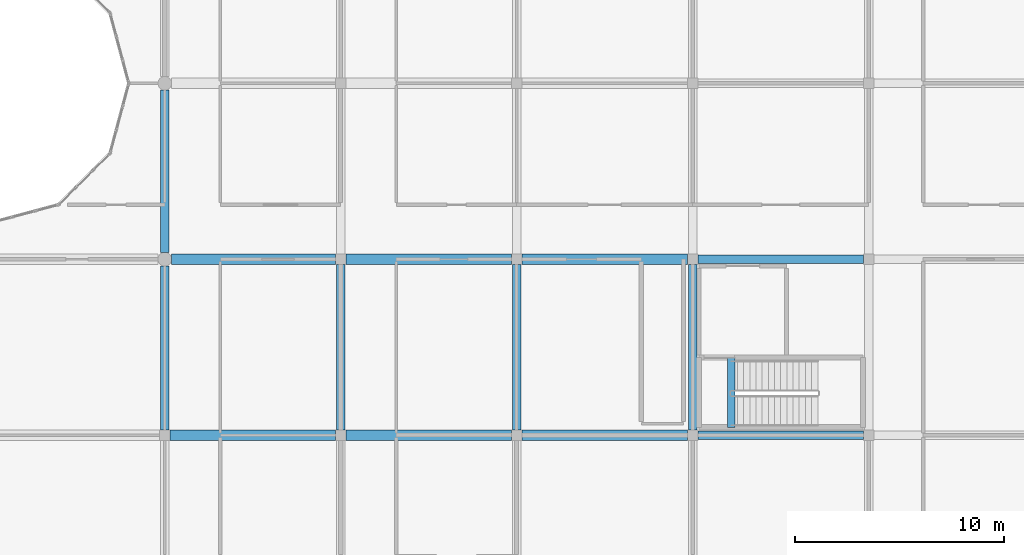
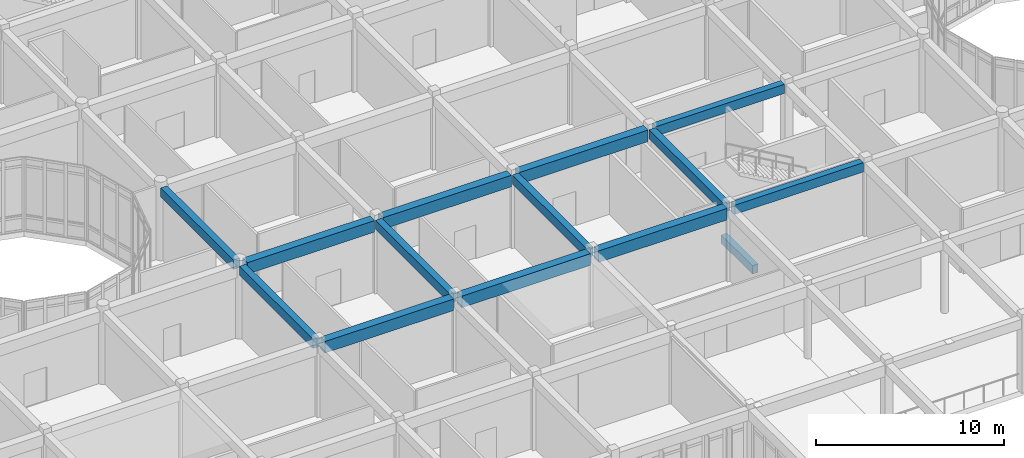
# One storey, part 36 of 134: 14 beams.
"""IFC4 building model written with IfcOpenShell, lengths in metres."""

from ifc_helpers import new_model, si_unit, direction, frame, origin, origin_2d, place, context, subcontext, project, spatial, rectangle, extrude, material, material_profile, profile_set, type_object, element, save


model = new_model("IFC4")

# Units and contexts
model_context = context("Model", 3, precision=1e-05, world=origin(), true_north=direction((0.0, 1.0)))
body_context = subcontext(model_context, "Body", "Model", "MODEL_VIEW")
ifc_project = project(units=[si_unit("LENGTHUNIT", "METRE"), si_unit("AREAUNIT", "SQUARE_METRE"), si_unit("VOLUMEUNIT", "CUBIC_METRE"), si_unit("PLANEANGLEUNIT", "RADIAN"), si_unit("MASSUNIT", "GRAM", prefix="KILO")], contexts=[model_context])

# Site, building, storey
site_placement = place(None, origin())
site = spatial("IfcSite", under=ifc_project, at=site_placement, CompositionType="ELEMENT")
building_placement = place(site_placement, origin())
building = spatial("IfcBuilding", under=site, at=building_placement, Name="Bramfleet General Hospital", CompositionType="ELEMENT")
storey_placement = place(building_placement, frame((0.0, 0.0, 9.300048828125)))
storey = spatial("IfcBuildingStorey", under=building, at=storey_placement, Name="L02", CompositionType="ELEMENT", Elevation=9.300048828125)

# Beams
ifc_material = material(Name="Concrete C35/45", Category="concrete")
ifc_material_profile_1 = material_profile(ifc_material, rectangle(XDim=0.35009765625, YDim=0.550048828125, at=origin_2d()), Name="RC BM 550x350")
ifc_profile_set_1 = profile_set([ifc_material_profile_1], Name="Concrete C35/45")
beam_type_1 = type_object("IfcBeamType", Name="BM-RC550", PredefinedType="BEAM", material=ifc_profile_set_1)
beam_1_placement = place(storey_placement, frame((60.639892578125, 67.580078125, -0.275146484375), z_axis=(0.0, 1.0, 0.0), x_axis=(-1.0, 0.0, 0.0)))
element("IfcBeam", 1, at=beam_1_placement, inside=storey, type_object=beam_type_1, Name="L02 C13 Stairwell Trimmer Beam", PredefinedType="BEAM", context=body_context, shape_type="SweptSolid", body=[
    extrude(rectangle(XDim=0.35009765625, YDim=0.550048828125, at=origin_2d()), origin(), (0.0, 0.0, 1.0), 3.31982421875),
])
ifc_material_profile_2 = material_profile(ifc_material, rectangle(XDim=0.39990234375, YDim=0.60009765625, at=origin_2d()), Name="RC BM 600x400")
ifc_profile_set_2 = profile_set([ifc_material_profile_2], Name="Concrete C35/45")
beam_type_2 = type_object("IfcBeamType", Name="BM-RC600", PredefinedType="BEAM", material=ifc_profile_set_2)
for number, where, z_axis, x_axis, name in (
    (2, (59.050048828125, 67.199951171875, 4.47998046875), (1.0, 0.0, 0.0), (0.0, 1.0, 0.0), "L02 Grid Beam X 07-08"),
    (3, (59.050048828125, 75.60009765625, 4.47998046875), (1.0, 0.0, 0.0), (0.0, 1.0, 0.0), "L02 Grid Beam X 07-09"),
):
    element("IfcBeam", number, at=place(storey_placement, frame(where, z_axis=z_axis, x_axis=x_axis)), inside=storey, type_object=beam_type_2, Name=name, PredefinedType="BEAM", context=body_context, shape_type="SweptSolid", body=[
        extrude(rectangle(XDim=0.39990234375, YDim=0.60009765625, at=origin_2d()), origin(), (0.0, 0.0, 1.0), 7.89990234375),
    ])
beam_2_placement = place(storey_placement, frame((33.60009765625, 67.449951171875, 4.47998046875), z_axis=(0.0, 1.0, 0.0), x_axis=(-1.0, 0.0, 0.0)))
element("IfcBeam", 4, at=beam_2_placement, inside=storey, type_object=beam_type_2, Name="L02 Grid Beam Y 04-08", PredefinedType="BEAM", context=body_context, shape_type="SweptSolid", body=[
    extrude(rectangle(XDim=0.39990234375, YDim=0.60009765625, at=origin_2d()), origin(), (0.0, 0.0, 1.0), 7.824951171875),
])
beam_3_placement = place(storey_placement, frame((33.60009765625, 75.925048828125, 4.47998046875), z_axis=(0.0, 1.0, 0.0), x_axis=(-1.0, 0.0, 0.0)))
element("IfcBeam", 5, at=beam_3_placement, inside=storey, type_object=beam_type_2, Name="L02 Grid Beam Y 04-09", PredefinedType="BEAM", context=body_context, shape_type="SweptSolid", body=[
    extrude(rectangle(XDim=0.39990234375, YDim=0.60009765625, at=origin_2d()), origin(), (0.0, 0.0, 1.0), 7.75),
])
for number, where, z_axis, x_axis, name in (
    (6, (42.0, 67.449951171875, 4.47998046875), (0.0, 1.0, 0.0), (-1.0, 0.0, 0.0), "L02 Grid Beam Y 05-08"),
    (7, (50.39990234375, 67.449951171875, 4.47998046875), (0.0, 1.0, 0.0), (-1.0, 0.0, 0.0), "L02 Grid Beam Y 06-08"),
    (8, (58.800048828125, 67.449951171875, 4.47998046875), (0.0, 1.0, 0.0), (-1.0, 0.0, 0.0), "L02 Grid Beam Y 07-08"),
):
    element("IfcBeam", number, at=place(storey_placement, frame(where, z_axis=z_axis, x_axis=x_axis)), inside=storey, type_object=beam_type_2, Name=name, PredefinedType="BEAM", context=body_context, shape_type="SweptSolid", body=[
        extrude(rectangle(XDim=0.39990234375, YDim=0.60009765625, at=origin_2d()), origin(), (0.0, 0.0, 1.0), 7.900146484375),
    ])
ifc_material_profile_3 = material_profile(ifc_material, rectangle(XDim=0.5, YDim=0.75, at=origin_2d()), Name="RC BM 750x500")
ifc_profile_set_3 = profile_set([ifc_material_profile_3], Name="Concrete C35/45")
beam_type_3 = type_object("IfcBeamType", Name="BM-RC750", PredefinedType="BEAM", material=ifc_profile_set_3)
beam_4_placement = place(storey_placement, frame((33.85009765625, 67.199951171875, 4.405029296875), z_axis=(1.0, 0.0, 0.0), x_axis=(0.0, 1.0, 0.0)))
element("IfcBeam", 9, at=beam_4_placement, inside=storey, type_object=beam_type_3, Name="L02 Grid Beam X 04-08", PredefinedType="BEAM", context=body_context, shape_type="SweptSolid", body=[
    extrude(rectangle(XDim=0.5, YDim=0.75, at=origin_2d()), origin(), (0.0, 0.0, 1.0), 7.89990234375),
])
beam_5_placement = place(storey_placement, frame((33.925048828125, 75.60009765625, 4.405029296875), z_axis=(1.0, 0.0, 0.0), x_axis=(0.0, 1.0, 0.0)))
element("IfcBeam", 10, at=beam_5_placement, inside=storey, type_object=beam_type_3, Name="L02 Grid Beam X 04-09", PredefinedType="BEAM", context=body_context, shape_type="SweptSolid", body=[
    extrude(rectangle(XDim=0.5, YDim=0.75, at=origin_2d()), origin(), (0.0, 0.0, 1.0), 7.824951171875),
])
for number, where, z_axis, x_axis, name in (
    (11, (42.25, 67.199951171875, 4.405029296875), (1.0, 0.0, 0.0), (0.0, 1.0, 0.0), "L02 Grid Beam X 05-08"),
    (12, (42.25, 75.60009765625, 4.405029296875), (1.0, 0.0, 0.0), (0.0, 1.0, 0.0), "L02 Grid Beam X 05-09"),
):
    element("IfcBeam", number, at=place(storey_placement, frame(where, z_axis=z_axis, x_axis=x_axis)), inside=storey, type_object=beam_type_3, Name=name, PredefinedType="BEAM", context=body_context, shape_type="SweptSolid", body=[
        extrude(rectangle(XDim=0.5, YDim=0.75, at=origin_2d()), origin(), (0.0, 0.0, 1.0), 7.89990234375),
    ])
for number, where, z_axis, x_axis, name in (
    (13, (50.64990234375, 67.199951171875, 4.405029296875), (1.0, 0.0, 0.0), (0.0, 1.0, 0.0), "L02 Grid Beam X 06-08"),
    (14, (50.64990234375, 75.60009765625, 4.405029296875), (1.0, 0.0, 0.0), (0.0, 1.0, 0.0), "L02 Grid Beam X 06-09"),
):
    element("IfcBeam", number, at=place(storey_placement, frame(where, z_axis=z_axis, x_axis=x_axis)), inside=storey, type_object=beam_type_3, Name=name, PredefinedType="BEAM", context=body_context, shape_type="SweptSolid", body=[
        extrude(rectangle(XDim=0.5, YDim=0.75, at=origin_2d()), origin(), (0.0, 0.0, 1.0), 7.900146484375),
    ])

save(model, "model.ifc")
